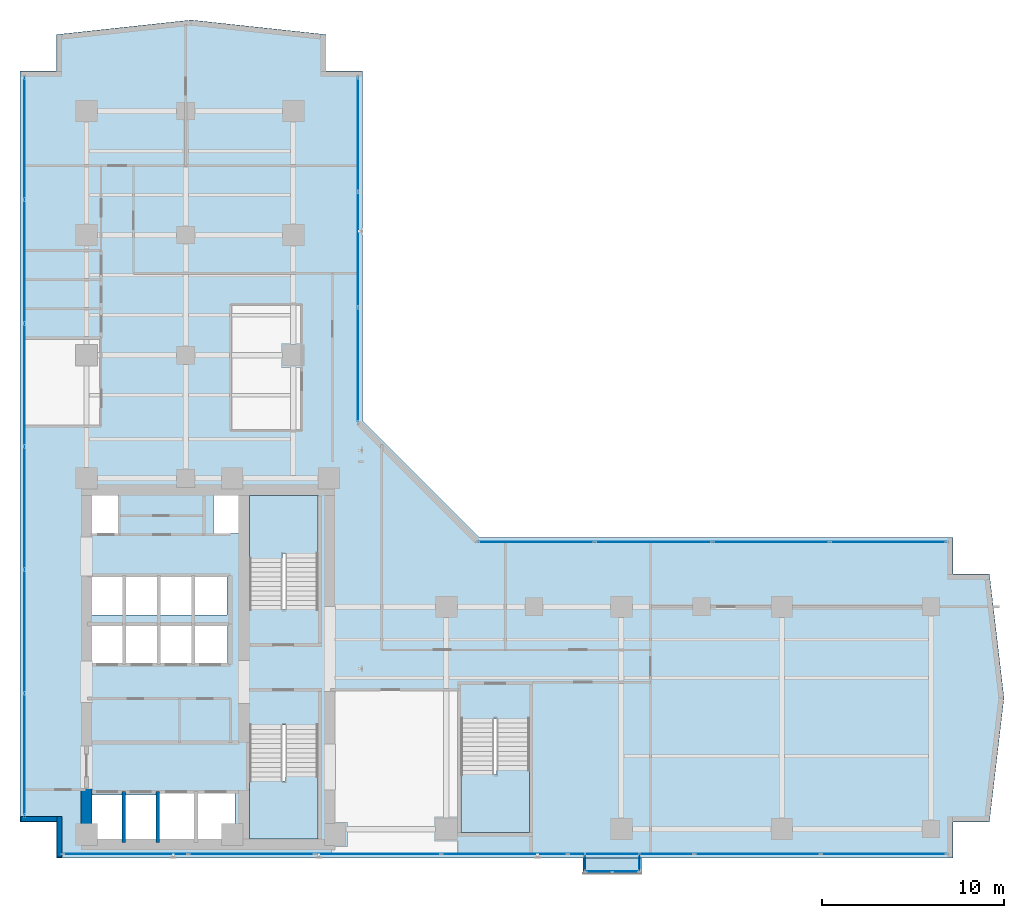
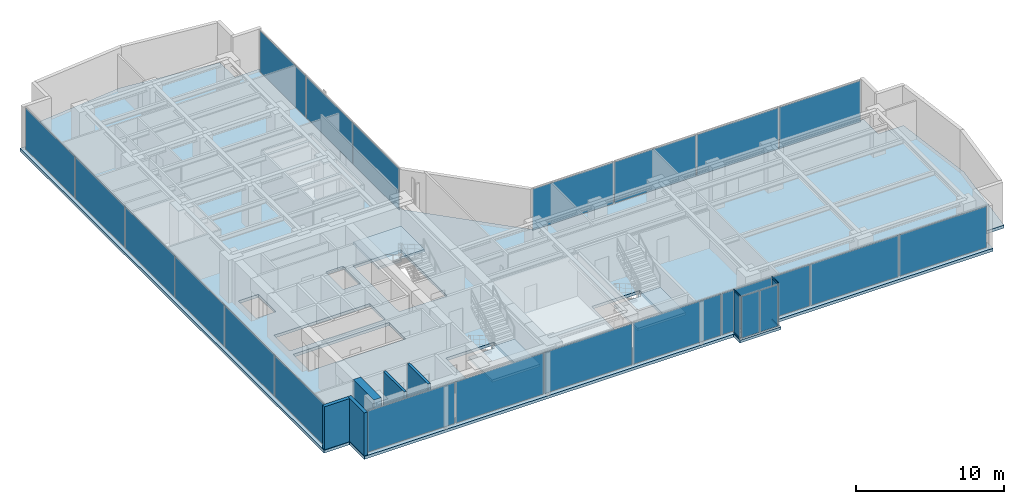
# One storey, part 19 of 27: 24 plates, 5 slabs, 5 walls, 4 members, 10 elements without a shape of their own.
"""IFC4 building model written with IfcOpenShell, lengths in metres."""

from ifc_helpers import new_model, si_unit, direction, frame, frame_2d, origin, origin_with_axes, origin_2d, place, context, subcontext, project, spatial, polyline, rectangle, hollow_rectangle, outline, extrude, source, transform, mapped, material, layer, layer_set, material_profile, profile_set, type_object, element, aggregate, save


model = new_model("IFC4")

# Units and contexts
model_context = context("Model", 3, precision=1e-05, world=origin(), true_north=direction((0.0, 1.0)))
body_context = subcontext(model_context, "Body", "Model", "MODEL_VIEW")
ifc_project = project(units=[si_unit("LENGTHUNIT", "METRE"), si_unit("AREAUNIT", "SQUARE_METRE"), si_unit("VOLUMEUNIT", "CUBIC_METRE"), si_unit("PLANEANGLEUNIT", "RADIAN"), si_unit("MASSUNIT", "GRAM", prefix="KILO")], contexts=[model_context])

# Site, building, storey
site_placement = place(None, origin())
site = spatial("IfcSite", under=ifc_project, at=site_placement, CompositionType="ELEMENT")
building_placement = place(site_placement, origin())
building = spatial("IfcBuilding", under=site, at=building_placement, Name="Kolvaren Waterfront Exchange", CompositionType="ELEMENT")
storey_placement = place(building_placement, frame((0.0, 0.0, 176.60009765625)))
storey = spatial("IfcBuildingStorey", under=building, at=storey_placement, Name="L45", CompositionType="ELEMENT", Elevation=176.60009765625)

# Curtain wall, members
ifc_material_1 = material(Name="Anodised bronze aluminium 6063-T6", Category="aluminium")
ifc_layer_1 = layer(ifc_material_1, 0.219970703125, Name="Anodised bronze aluminium 6063-T6")
ifc_layer_set_1 = layer_set([ifc_layer_1], Name="Anodised bronze aluminium 6063-T6")
curtain_wall_type_1 = type_object("IfcCurtainWallType", Name="ARC-CW-SYS3", PredefinedType="USERDEFINED", material=ifc_layer_set_1)
curtain_wall_1_placement = place(storey_placement, origin())
curtain_wall_1 = element("IfcCurtainWall", 1, at=curtain_wall_1_placement, inside=storey, type_object=curtain_wall_type_1, Name="L45 stick curtain wall CW3 (CW-L45-BOX-W)", ObjectType="STICK CURTAIN WALL", PredefinedType="USERDEFINED")
ifc_material_profile = material_profile(ifc_material_1, hollow_rectangle(XDim=0.06494140625, YDim=0.1298828125, WallThickness=0.00390625, at=origin_2d()), Name="ALU-TRN-130x65x4")
ifc_profile_set = profile_set([ifc_material_profile], Name="Anodised bronze aluminium 6063-T6")
member_type = type_object("IfcMemberType", Name="ARC-CWT-130", PredefinedType="USERDEFINED", material=ifc_profile_set)
shared_shape_1 = source(origin_with_axes(), body_context, "Body", "SweptSolid", [
    extrude(hollow_rectangle(XDim=0.06494140625, YDim=0.1298828125, WallThickness=0.00390625, at=origin_2d()), origin(), (0.0, 0.0, 1.0), 0.829833984375),
])
member_1_placement = place(storey_placement, frame((34.81005859375, 3.764892578125, 0.032470703125), z_axis=(0.0, -1.0, 0.0), x_axis=(1.0, 0.0, 0.0)))
member_1 = element("IfcMember", 2, at=member_1_placement, type_object=member_type, Name="CW3 transom 1.1", ObjectType="TRANSOM", PredefinedType="USERDEFINED", context=body_context, shape_type="MappedRepresentation", body=[
    mapped(shared_shape_1, transform((0.0, 0.0, 0.0), x_axis=(1.0, 0.0, 0.0), y_axis=(0.0, 1.0, 0.0), z_axis=(0.0, 0.0, 1.0), scale=1.0)),
])
member_2_placement = place(storey_placement, frame((34.81005859375, 3.764892578125, 3.52734375), z_axis=(0.0, -1.0, 0.0), x_axis=(1.0, 0.0, 0.0)))
member_2 = element("IfcMember", 3, at=member_2_placement, type_object=member_type, Name="CW3 transom 1.2", ObjectType="TRANSOM", PredefinedType="USERDEFINED", context=body_context, shape_type="MappedRepresentation", body=[
    mapped(shared_shape_1, transform((0.0, 0.0, 0.0), x_axis=(1.0, 0.0, 0.0), y_axis=(0.0, 1.0, 0.0), z_axis=(0.0, 0.0, 1.0), scale=1.0)),
])

curtain_wall_2_placement = place(storey_placement, origin())
curtain_wall_2 = element("IfcCurtainWall", 4, at=curtain_wall_2_placement, inside=storey, type_object=curtain_wall_type_1, Name="L45 stick curtain wall CW3 (CW-L45-BOX-E)", ObjectType="STICK CURTAIN WALL", PredefinedType="USERDEFINED")
member_3_placement = place(storey_placement, frame((37.7900390625, 2.93505859375, 0.032470703125), z_axis=(0.0, 1.0, 0.0), x_axis=(-1.0, 0.0, 0.0)))
member_3 = element("IfcMember", 5, at=member_3_placement, type_object=member_type, Name="CW3 transom 1.1", ObjectType="TRANSOM", PredefinedType="USERDEFINED", context=body_context, shape_type="MappedRepresentation", body=[
    mapped(shared_shape_1, transform((0.0, 0.0, 0.0), x_axis=(1.0, 0.0, 0.0), y_axis=(0.0, 1.0, 0.0), z_axis=(0.0, 0.0, 1.0), scale=1.0)),
])
member_4_placement = place(storey_placement, frame((37.7900390625, 2.93505859375, 3.52734375), z_axis=(0.0, 1.0, 0.0), x_axis=(-1.0, 0.0, 0.0)))
member_4 = element("IfcMember", 6, at=member_4_placement, type_object=member_type, Name="CW3 transom 1.2", ObjectType="TRANSOM", PredefinedType="USERDEFINED", context=body_context, shape_type="MappedRepresentation", body=[
    mapped(shared_shape_1, transform((0.0, 0.0, 0.0), x_axis=(1.0, 0.0, 0.0), y_axis=(0.0, 1.0, 0.0), z_axis=(0.0, 0.0, 1.0), scale=1.0)),
])

# Stair, slab
ifc_material_2 = material(Name="Concrete C40/50", Category="concrete")
stair_type = type_object("IfcStairType", Name="ARC-STAIR-3800", PredefinedType="HALF_TURN_STAIR", material=ifc_material_2)
stair_1_placement = place(storey_placement, origin())
stair_1 = element("IfcStair", 7, at=stair_1_placement, inside=storey, type_object=stair_type, Name="L45 Smoke-proof exit stair ST1", PredefinedType="HALF_TURN_STAIR")
ifc_layer_2 = layer(ifc_material_2, 0.199951171875, Name="Concrete C40/50")
ifc_layer_set_2 = layer_set([ifc_layer_2], Name="Concrete C40/50")
slab_type_1 = type_object("IfcSlabType", Name="STR-LANDING-200", PredefinedType="LANDING", material=ifc_layer_set_2)
slab_1_placement = place(storey_placement, frame((0.0, 0.0, 1.77587890625)))
slab_1 = element("IfcSlab", 8, at=slab_1_placement, type_object=slab_type_1, Name="ST1 landing 1", PredefinedType="LANDING", context=body_context, shape_type="SweptSolid", body=[
    extrude(outline(polyline([(16.39990234375, 7.840087890625), (16.39990234375, 4.64990234375), (20.159912109375, 4.64990234375), (20.159912109375, 8.10009765625), (18.360107421875, 8.10009765625), (18.360107421875, 7.840087890625), (16.39990234375, 7.840087890625)])), origin(), (0.0, 0.0, 1.0), 0.199951171875),
])
aggregate(stair_1, [slab_1])

stair_2_placement = place(storey_placement, origin())
stair_2 = element("IfcStair", 9, at=stair_2_placement, inside=storey, type_object=stair_type, Name="L45 Smoke-proof exit stair ST2", PredefinedType="HALF_TURN_STAIR")
slab_2_placement = place(storey_placement, frame((0.0, 0.0, 1.77587890625)))
slab_2 = element("IfcSlab", 10, at=slab_2_placement, type_object=slab_type_1, Name="ST2 landing 1", PredefinedType="LANDING", context=body_context, shape_type="SweptSolid", body=[
    extrude(outline(polyline([(20.159912109375, 20.31005859375), (20.159912109375, 23.5), (16.39990234375, 23.5), (16.39990234375, 20.050048828125), (18.199951171875, 20.050048828125), (18.199951171875, 20.31005859375), (20.159912109375, 20.31005859375)])), origin(), (0.0, 0.0, 1.0), 0.199951171875),
])
aggregate(stair_2, [slab_2])

stair_3_placement = place(storey_placement, origin())
stair_3 = element("IfcStair", 11, at=stair_3_placement, inside=storey, type_object=stair_type, Name="L45 Exit stair ST3", PredefinedType="HALF_TURN_STAIR")
slab_3_placement = place(storey_placement, frame((0.0, 0.0, 1.77587890625)))
slab_3 = element("IfcSlab", 12, at=slab_3_placement, type_object=slab_type_1, Name="ST3 landing 1", PredefinedType="LANDING", context=body_context, shape_type="SweptSolid", body=[
    extrude(outline(polyline([(28.0, 8.18994140625), (28.0, 5.0), (31.760009765625, 5.0), (31.760009765625, 8.449951171875), (29.9599609375, 8.449951171875), (29.9599609375, 8.18994140625), (28.0, 8.18994140625)])), origin(), (0.0, 0.0, 1.0), 0.199951171875),
])
aggregate(stair_3, [slab_3])

# Slabs
ifc_layer_3 = layer(ifc_material_2, 0.239990234375, Name="Concrete C40/50")
ifc_layer_set_3 = layer_set([ifc_layer_3], Name="Concrete C40/50")
slab_type_2 = type_object("IfcSlabType", Name="STR-SLAB-240", PredefinedType="FLOOR", material=ifc_layer_set_3)
slab_4_placement = place(storey_placement, frame((0.0, 0.0, -0.239990234375)))
element("IfcSlab", 13, at=slab_4_placement, inside=storey, type_object=slab_type_2, Name="L45 structural floor slab", PredefinedType="FLOOR", context=body_context, shape_type="SweptSolid", body=[
    extrude(outline(polyline([(5.800048828125, 3.60009765625), (55.0, 3.60009765625), (55.0, 5.60009765625), (57.0, 5.60009765625), (57.800048828125, 12.39990234375), (57.0, 19.199951171875), (55.0, 19.199951171875), (55.0, 21.199951171875), (29.0, 21.199951171875), (22.60009765625, 27.60009765625), (22.60009765625, 46.800048828125), (20.60009765625, 46.800048828125), (20.60009765625, 48.800048828125), (13.199951171875, 49.60009765625), (5.800048828125, 48.800048828125), (5.800048828125, 46.800048828125), (3.800048828125, 46.800048828125), (3.800048828125, 5.60009765625), (5.800048828125, 5.60009765625), (5.800048828125, 3.60009765625)]), holes=[polyline([(11.320068359375, 7.260009765625), (15.610107421875, 7.260009765625), (15.610107421875, 4.5400390625), (7.719970703125, 4.5400390625), (7.719970703125, 7.06005859375), (11.320068359375, 7.06005859375), (11.320068359375, 7.260009765625)]), polyline([(20.159912109375, 10.89990234375), (20.159912109375, 4.64990234375), (16.39990234375, 4.64990234375), (16.39990234375, 10.89990234375), (20.159912109375, 10.89990234375)]), polyline([(31.760009765625, 11.25), (31.760009765625, 5.0), (28.0, 5.0), (28.0, 11.25), (31.760009765625, 11.25)]), polyline([(15.18505859375, 14.239990234375), (7.64501953125, 14.239990234375), (7.64501953125, 16.4599609375), (15.18505859375, 16.4599609375), (15.18505859375, 14.239990234375)]), polyline([(15.159912109375, 16.93994140625), (7.669921875, 16.93994140625), (7.669921875, 19.06005859375), (15.159912109375, 19.06005859375), (15.159912109375, 16.93994140625)]), polyline([(16.39990234375, 23.5), (20.159912109375, 23.5), (20.159912109375, 17.25), (16.39990234375, 17.25), (16.39990234375, 23.5)]), polyline([(7.60009765625, 23.780029296875), (9.179931640625, 23.780029296875), (9.179931640625, 21.419921875), (7.60009765625, 21.419921875), (7.60009765625, 23.780029296875)]), polyline([(15.800048828125, 23.780029296875), (15.800048828125, 21.419921875), (14.419921875, 21.419921875), (14.419921875, 23.780029296875), (15.800048828125, 23.780029296875)])]), origin(), (0.0, 0.0, 1.0), 0.239990234375),
])
ifc_layer_4 = layer(ifc_material_2, 0.219970703125, Name="Concrete C40/50")
ifc_layer_set_4 = layer_set([ifc_layer_4], Name="Concrete C40/50")
slab_type_3 = type_object("IfcSlabType", Name="STR-TERR-220", PredefinedType="FLOOR", material=ifc_layer_set_4)
slab_5_placement = place(storey_placement, frame((0.0, 0.0, -0.22021484375)))
element("IfcSlab", 14, at=slab_5_placement, inside=storey, type_object=slab_type_3, Name="L45 projecting bay-box floor strip", PredefinedType="FLOOR", context=body_context, shape_type="SweptSolid", body=[
    extrude(outline(polyline([(34.699951171875, 2.75), (37.89990234375, 2.75), (37.89990234375, 3.60009765625), (34.699951171875, 3.60009765625), (34.699951171875, 2.75)])), origin(), (0.0, 0.0, 1.0), 0.22021484375),
])

# Plate
ifc_material_3 = material(Name="Bronze tinted bay-box vision glass", Category="aluminium")
ifc_layer_5 = layer(ifc_material_3, 0.02392578125, Name="Bronze tinted bay-box vision glass")
ifc_layer_set_5 = layer_set([ifc_layer_5], Name="Bronze tinted bay-box vision glass")
plate_type_1 = type_object("IfcPlateType", Name="ARC-CWP-24", PredefinedType="CURTAIN_PANEL", material=ifc_layer_set_5)
shared_shape_2 = source(origin_with_axes(), body_context, "Body", "SweptSolid", [
    extrude(rectangle(XDim=0.830078125, YDim=0.02392578125, at=origin_2d()), origin(), (0.0, 0.0, 1.0), 3.429931640625),
])
plate_1_placement = place(storey_placement, frame((34.81005859375, 3.35009765625, 0.06494140625), z_axis=(0.0, 0.0, 1.0), x_axis=(0.0, -1.0, 0.0)))
plate_1 = element("IfcPlate", 15, at=plate_1_placement, type_object=plate_type_1, Name="CW3 panel 1.1", PredefinedType="CURTAIN_PANEL", context=body_context, shape_type="MappedRepresentation", body=[
    mapped(shared_shape_2, transform((0.0, 0.0, 0.0), x_axis=(1.0, 0.0, 0.0), y_axis=(0.0, 1.0, 0.0), z_axis=(0.0, 0.0, 1.0), scale=1.0)),
])

aggregate(curtain_wall_1, [member_1, member_2, plate_1])

plate_2_placement = place(storey_placement, frame((37.7900390625, 3.35009765625, 0.06494140625), z_axis=(0.0, 0.0, 1.0), x_axis=(0.0, 1.0, 0.0)))
plate_2 = element("IfcPlate", 16, at=plate_2_placement, type_object=plate_type_1, Name="CW3 panel 1.1", PredefinedType="CURTAIN_PANEL", context=body_context, shape_type="MappedRepresentation", body=[
    mapped(shared_shape_2, transform((0.0, 0.0, 0.0), x_axis=(1.0, 0.0, 0.0), y_axis=(0.0, 1.0, 0.0), z_axis=(0.0, 0.0, 1.0), scale=1.0)),
])

aggregate(curtain_wall_2, [member_3, member_4, plate_2])

# Curtain wall, plates
curtain_wall_3_placement = place(storey_placement, origin())
curtain_wall_3 = element("IfcCurtainWall", 17, at=curtain_wall_3_placement, inside=storey, type_object=curtain_wall_type_1, Name="L45 stick curtain wall CW3 (CW-L45-BOX)", ObjectType="STICK CURTAIN WALL", PredefinedType="USERDEFINED")
shared_shape_3 = source(origin_with_axes(), body_context, "Body", "SweptSolid", [
    extrude(rectangle(XDim=1.37744140625, YDim=0.02392578125, at=origin_2d()), origin(), (0.0, 0.0, 1.0), 3.429931640625),
])
plate_3_placement = place(storey_placement, frame((35.57373046875, 2.860107421875, 0.06494140625), z_axis=(0.0, 0.0, 1.0), x_axis=(1.0, 0.0, 0.0)))
plate_3 = element("IfcPlate", 18, at=plate_3_placement, type_object=plate_type_1, Name="CW3 panel 1.1", PredefinedType="CURTAIN_PANEL", context=body_context, shape_type="MappedRepresentation", body=[
    mapped(shared_shape_3, transform((0.0, 0.0, 0.0), x_axis=(1.0, 0.0, 0.0), y_axis=(0.0, 1.0, 0.0), z_axis=(0.0, 0.0, 1.0), scale=1.0)),
])
plate_4_placement = place(storey_placement, frame((37.0263671875, 2.860107421875, 0.06494140625), z_axis=(0.0, 0.0, 1.0), x_axis=(1.0, 0.0, 0.0)))
plate_4 = element("IfcPlate", 19, at=plate_4_placement, type_object=plate_type_1, Name="CW3 panel 2.1", PredefinedType="CURTAIN_PANEL", context=body_context, shape_type="MappedRepresentation", body=[
    mapped(shared_shape_3, transform((0.0, 0.0, 0.0), x_axis=(1.0, 0.0, 0.0), y_axis=(0.0, 1.0, 0.0), z_axis=(0.0, 0.0, 1.0), scale=1.0)),
])
aggregate(curtain_wall_3, [plate_3, plate_4])

ifc_layer_6 = layer(ifc_material_1, 0.219970703125, Name="Anodised bronze aluminium 6063-T6")
ifc_layer_set_6 = layer_set([ifc_layer_6], Name="Anodised bronze aluminium 6063-T6")
curtain_wall_type_2 = type_object("IfcCurtainWallType", Name="ARC-CW-SYS1", PredefinedType="USERDEFINED", material=ifc_layer_set_6)
curtain_wall_4_placement = place(storey_placement, origin())
curtain_wall_4 = element("IfcCurtainWall", 20, at=curtain_wall_4_placement, inside=storey, type_object=curtain_wall_type_2, Name="L45 stick curtain wall CW1 (CW-L45-S)", ObjectType="STICK CURTAIN WALL", PredefinedType="USERDEFINED")
ifc_material_4 = material(Name="Bronze solar control vision glass", Category="aluminium")
ifc_layer_7 = layer(ifc_material_4, 0.028076171875, Name="Bronze solar control vision glass")
ifc_layer_set_7 = layer_set([ifc_layer_7], Name="Bronze solar control vision glass")
plate_type_2 = type_object("IfcPlateType", Name="ARC-CWP-28", PredefinedType="CURTAIN_PANEL", material=ifc_layer_set_7)
shared_shape_4 = source(origin_with_axes(), body_context, "Body", "SweptSolid", [
    extrude(rectangle(XDim=6.82275390625, YDim=0.028076171875, at=origin_2d()), origin(), (0.0, 0.0, 1.0), 3.409912109375),
])
plate_5_placement = place(storey_placement, frame((9.59130859375, 3.840087890625, 0.07470703125), z_axis=(0.0, 0.0, 1.0), x_axis=(1.0, 0.0, 0.0)))
plate_5 = element("IfcPlate", 21, at=plate_5_placement, type_object=plate_type_2, Name="CW1 panel 1.1", PredefinedType="CURTAIN_PANEL", context=body_context, shape_type="MappedRepresentation", body=[
    mapped(shared_shape_4, transform((0.0, 0.0, 0.0), x_axis=(1.0, 0.0, 0.0), y_axis=(0.0, 1.0, 0.0), z_axis=(0.0, 0.0, 1.0), scale=1.0)),
])
plate_6_placement = place(storey_placement, frame((51.20849609375, 3.840087890625, 0.07470703125), z_axis=(0.0, 0.0, 1.0), x_axis=(1.0, 0.0, 0.0)))
plate_6 = element("IfcPlate", 22, at=plate_6_placement, type_object=plate_type_2, Name="CW1 panel 7.1", PredefinedType="CURTAIN_PANEL", context=body_context, shape_type="MappedRepresentation", body=[
    mapped(shared_shape_4, transform((0.0, 0.0, 0.0), x_axis=(1.0, 0.0, 0.0), y_axis=(0.0, 1.0, 0.0), z_axis=(0.0, 0.0, 1.0), scale=1.0)),
])
shared_shape_5 = source(origin_with_axes(), body_context, "Body", "SweptSolid", [
    extrude(rectangle(XDim=6.86279296875, YDim=0.028076171875, at=origin_2d()), origin(), (0.0, 0.0, 1.0), 3.409912109375),
])
plate_7_placement = place(storey_placement, frame((16.514404296875, 3.840087890625, 0.07470703125), z_axis=(0.0, 0.0, 1.0), x_axis=(1.0, 0.0, 0.0)))
plate_7 = element("IfcPlate", 23, at=plate_7_placement, type_object=plate_type_2, Name="CW1 panel 2.1", PredefinedType="CURTAIN_PANEL", context=body_context, shape_type="MappedRepresentation", body=[
    mapped(shared_shape_5, transform((0.0, 0.0, 0.0), x_axis=(1.0, 0.0, 0.0), y_axis=(0.0, 1.0, 0.0), z_axis=(0.0, 0.0, 1.0), scale=1.0)),
])
plate_8_placement = place(storey_placement, frame((23.45703125, 3.840087890625, 0.07470703125), z_axis=(0.0, 0.0, 1.0), x_axis=(1.0, 0.0, 0.0)))
plate_8 = element("IfcPlate", 24, at=plate_8_placement, type_object=plate_type_2, Name="CW1 panel 3.1", PredefinedType="CURTAIN_PANEL", context=body_context, shape_type="MappedRepresentation", body=[
    mapped(shared_shape_5, transform((0.0, 0.0, 0.0), x_axis=(1.0, 0.0, 0.0), y_axis=(0.0, 1.0, 0.0), z_axis=(0.0, 0.0, 1.0), scale=1.0)),
])
plate_9_placement = place(storey_placement, frame((30.39990234375, 3.840087890625, 0.07470703125), z_axis=(0.0, 0.0, 1.0), x_axis=(1.0, 0.0, 0.0)))
plate_9 = element("IfcPlate", 25, at=plate_9_placement, type_object=plate_type_2, Name="CW1 panel 4.1", PredefinedType="CURTAIN_PANEL", context=body_context, shape_type="MappedRepresentation", body=[
    mapped(shared_shape_5, transform((0.0, 0.0, 0.0), x_axis=(1.0, 0.0, 0.0), y_axis=(0.0, 1.0, 0.0), z_axis=(0.0, 0.0, 1.0), scale=1.0)),
])
plate_10_placement = place(storey_placement, frame((37.3427734375, 3.840087890625, 0.07470703125), z_axis=(0.0, 0.0, 1.0), x_axis=(1.0, 0.0, 0.0)))
plate_10 = element("IfcPlate", 26, at=plate_10_placement, type_object=plate_type_2, Name="CW1 panel 5.1", PredefinedType="CURTAIN_PANEL", context=body_context, shape_type="MappedRepresentation", body=[
    mapped(shared_shape_5, transform((0.0, 0.0, 0.0), x_axis=(1.0, 0.0, 0.0), y_axis=(0.0, 1.0, 0.0), z_axis=(0.0, 0.0, 1.0), scale=1.0)),
])
plate_11_placement = place(storey_placement, frame((44.28564453125, 3.840087890625, 0.07470703125), z_axis=(0.0, 0.0, 1.0), x_axis=(1.0, 0.0, 0.0)))
plate_11 = element("IfcPlate", 27, at=plate_11_placement, type_object=plate_type_2, Name="CW1 panel 6.1", PredefinedType="CURTAIN_PANEL", context=body_context, shape_type="MappedRepresentation", body=[
    mapped(shared_shape_5, transform((0.0, 0.0, 0.0), x_axis=(1.0, 0.0, 0.0), y_axis=(0.0, 1.0, 0.0), z_axis=(0.0, 0.0, 1.0), scale=1.0)),
])
aggregate(curtain_wall_4, [plate_5, plate_7, plate_8, plate_9, plate_10, plate_11, plate_6])

curtain_wall_5_placement = place(storey_placement, origin())
curtain_wall_5 = element("IfcCurtainWall", 28, at=curtain_wall_5_placement, inside=storey, type_object=curtain_wall_type_2, Name="L45 stick curtain wall CW1 (CW-L45-NE)", ObjectType="STICK CURTAIN WALL", PredefinedType="USERDEFINED")
shared_shape_6 = source(origin_with_axes(), body_context, "Body", "SweptSolid", [
    extrude(rectangle(XDim=6.216552734375, YDim=0.028076171875, at=origin_2d()), origin(), (0.0, 0.0, 1.0), 3.409912109375),
])
plate_12_placement = place(storey_placement, frame((22.360107421875, 30.67822265625, 0.07470703125), z_axis=(0.0, 0.0, 1.0), x_axis=(0.0, 1.0, 0.0)))
plate_12 = element("IfcPlate", 29, at=plate_12_placement, type_object=plate_type_2, Name="CW1 panel 1.1", PredefinedType="CURTAIN_PANEL", context=body_context, shape_type="MappedRepresentation", body=[
    mapped(shared_shape_6, transform((0.0, 0.0, 0.0), x_axis=(1.0, 0.0, 0.0), y_axis=(0.0, 1.0, 0.0), z_axis=(0.0, 0.0, 1.0), scale=1.0)),
])
plate_13_placement = place(storey_placement, frame((22.360107421875, 43.311767578125, 0.07470703125), z_axis=(0.0, 0.0, 1.0), x_axis=(0.0, 1.0, 0.0)))
plate_13 = element("IfcPlate", 30, at=plate_13_placement, type_object=plate_type_2, Name="CW1 panel 3.1", PredefinedType="CURTAIN_PANEL", context=body_context, shape_type="MappedRepresentation", body=[
    mapped(shared_shape_6, transform((0.0, 0.0, 0.0), x_axis=(1.0, 0.0, 0.0), y_axis=(0.0, 1.0, 0.0), z_axis=(0.0, 0.0, 1.0), scale=1.0)),
])
shared_shape_7 = source(origin_with_axes(), body_context, "Body", "SweptSolid", [
    extrude(rectangle(XDim=6.256591796875, YDim=0.028076171875, at=origin_2d()), origin(), (0.0, 0.0, 1.0), 3.409912109375),
])
plate_14_placement = place(storey_placement, frame((22.360107421875, 36.9951171875, 0.07470703125), z_axis=(0.0, 0.0, 1.0), x_axis=(0.0, 1.0, 0.0)))
plate_14 = element("IfcPlate", 31, at=plate_14_placement, type_object=plate_type_2, Name="CW1 panel 2.1", PredefinedType="CURTAIN_PANEL", context=body_context, shape_type="MappedRepresentation", body=[
    mapped(shared_shape_7, transform((0.0, 0.0, 0.0), x_axis=(1.0, 0.0, 0.0), y_axis=(0.0, 1.0, 0.0), z_axis=(0.0, 0.0, 1.0), scale=1.0)),
])
aggregate(curtain_wall_5, [plate_12, plate_14, plate_13])

curtain_wall_6_placement = place(storey_placement, origin())
curtain_wall_6 = element("IfcCurtainWall", 32, at=curtain_wall_6_placement, inside=storey, type_object=curtain_wall_type_2, Name="L45 stick curtain wall CW1 (CW-L45-EN)", ObjectType="STICK CURTAIN WALL", PredefinedType="USERDEFINED")
shared_shape_8 = source(origin_with_axes(), body_context, "Body", "SweptSolid", [
    extrude(rectangle(XDim=6.33251953125, YDim=0.028076171875, at=origin_2d()), origin(), (0.0, 0.0, 1.0), 3.409912109375),
])
plate_15_placement = place(storey_placement, frame((32.13623046875, 20.9599609375, 0.07470703125), z_axis=(0.0, 0.0, 1.0), x_axis=(1.0, 0.0, 0.0)))
plate_15 = element("IfcPlate", 33, at=plate_15_placement, type_object=plate_type_2, Name="CW1 panel 1.1", PredefinedType="CURTAIN_PANEL", context=body_context, shape_type="MappedRepresentation", body=[
    mapped(shared_shape_8, transform((0.0, 0.0, 0.0), x_axis=(1.0, 0.0, 0.0), y_axis=(0.0, 1.0, 0.0), z_axis=(0.0, 0.0, 1.0), scale=1.0)),
])
plate_16_placement = place(storey_placement, frame((51.453857421875, 20.9599609375, 0.07470703125), z_axis=(0.0, 0.0, 1.0), x_axis=(1.0, 0.0, 0.0)))
plate_16 = element("IfcPlate", 34, at=plate_16_placement, type_object=plate_type_2, Name="CW1 panel 4.1", PredefinedType="CURTAIN_PANEL", context=body_context, shape_type="MappedRepresentation", body=[
    mapped(shared_shape_8, transform((0.0, 0.0, 0.0), x_axis=(1.0, 0.0, 0.0), y_axis=(0.0, 1.0, 0.0), z_axis=(0.0, 0.0, 1.0), scale=1.0)),
])
shared_shape_9 = source(origin_with_axes(), body_context, "Body", "SweptSolid", [
    extrude(rectangle(XDim=6.37255859375, YDim=0.028076171875, at=origin_2d()), origin(), (0.0, 0.0, 1.0), 3.409912109375),
])
plate_17_placement = place(storey_placement, frame((38.56884765625, 20.9599609375, 0.07470703125), z_axis=(0.0, 0.0, 1.0), x_axis=(1.0, 0.0, 0.0)))
plate_17 = element("IfcPlate", 35, at=plate_17_placement, type_object=plate_type_2, Name="CW1 panel 2.1", PredefinedType="CURTAIN_PANEL", context=body_context, shape_type="MappedRepresentation", body=[
    mapped(shared_shape_9, transform((0.0, 0.0, 0.0), x_axis=(1.0, 0.0, 0.0), y_axis=(0.0, 1.0, 0.0), z_axis=(0.0, 0.0, 1.0), scale=1.0)),
])
plate_18_placement = place(storey_placement, frame((45.021240234375, 20.9599609375, 0.07470703125), z_axis=(0.0, 0.0, 1.0), x_axis=(1.0, 0.0, 0.0)))
plate_18 = element("IfcPlate", 36, at=plate_18_placement, type_object=plate_type_2, Name="CW1 panel 3.1", PredefinedType="CURTAIN_PANEL", context=body_context, shape_type="MappedRepresentation", body=[
    mapped(shared_shape_9, transform((0.0, 0.0, 0.0), x_axis=(1.0, 0.0, 0.0), y_axis=(0.0, 1.0, 0.0), z_axis=(0.0, 0.0, 1.0), scale=1.0)),
])
aggregate(curtain_wall_6, [plate_15, plate_17, plate_18, plate_16])

ifc_material_5 = material(Name="Anodised aluminium 6063-T6", Category="aluminium")
ifc_layer_8 = layer(ifc_material_5, 0.219970703125, Name="Anodised aluminium 6063-T6")
ifc_layer_set_8 = layer_set([ifc_layer_8], Name="Anodised aluminium 6063-T6")
curtain_wall_type_3 = type_object("IfcCurtainWallType", Name="ARC-CW-SYS2", PredefinedType="USERDEFINED", material=ifc_layer_set_8)
curtain_wall_7_placement = place(storey_placement, origin())
curtain_wall_7 = element("IfcCurtainWall", 37, at=curtain_wall_7_placement, inside=storey, type_object=curtain_wall_type_3, Name="L45 stick curtain wall CW2 (CW-L45-W)", ObjectType="STICK CURTAIN WALL", PredefinedType="USERDEFINED")
ifc_material_6 = material(Name="Acoustic laminated vision glass", Category="glass")
ifc_layer_9 = layer(ifc_material_6, 0.031982421875, Name="Acoustic laminated vision glass")
ifc_layer_set_9 = layer_set([ifc_layer_9], Name="Acoustic laminated vision glass")
plate_type_3 = type_object("IfcPlateType", Name="ARC-CWP-32", PredefinedType="CURTAIN_PANEL", material=ifc_layer_set_9)
shared_shape_10 = source(origin_with_axes(), body_context, "Body", "SweptSolid", [
    extrude(rectangle(XDim=6.646728515625, YDim=0.031982421875, at=origin_2d()), origin(), (0.0, 0.0, 1.0), 3.409912109375),
])
plate_19_placement = place(storey_placement, frame((4.0400390625, 9.30322265625, 0.07470703125), z_axis=(0.0, 0.0, 1.0), x_axis=(0.0, 1.0, 0.0)))
plate_19 = element("IfcPlate", 38, at=plate_19_placement, type_object=plate_type_3, Name="CW2 panel 1.1", PredefinedType="CURTAIN_PANEL", context=body_context, shape_type="MappedRepresentation", body=[
    mapped(shared_shape_10, transform((0.0, 0.0, 0.0), x_axis=(1.0, 0.0, 0.0), y_axis=(0.0, 1.0, 0.0), z_axis=(0.0, 0.0, 1.0), scale=1.0)),
])
plate_20_placement = place(storey_placement, frame((4.0400390625, 43.0966796875, 0.07470703125), z_axis=(0.0, 0.0, 1.0), x_axis=(0.0, 1.0, 0.0)))
plate_20 = element("IfcPlate", 39, at=plate_20_placement, type_object=plate_type_3, Name="CW2 panel 6.1", PredefinedType="CURTAIN_PANEL", context=body_context, shape_type="MappedRepresentation", body=[
    mapped(shared_shape_10, transform((0.0, 0.0, 0.0), x_axis=(1.0, 0.0, 0.0), y_axis=(0.0, 1.0, 0.0), z_axis=(0.0, 0.0, 1.0), scale=1.0)),
])
shared_shape_11 = source(origin_with_axes(), body_context, "Body", "SweptSolid", [
    extrude(rectangle(XDim=6.686767578125, YDim=0.031982421875, at=origin_2d()), origin(), (0.0, 0.0, 1.0), 3.409912109375),
])
plate_21_placement = place(storey_placement, frame((4.0400390625, 16.050048828125, 0.07470703125), z_axis=(0.0, 0.0, 1.0), x_axis=(0.0, 1.0, 0.0)))
plate_21 = element("IfcPlate", 40, at=plate_21_placement, type_object=plate_type_3, Name="CW2 panel 2.1", PredefinedType="CURTAIN_PANEL", context=body_context, shape_type="MappedRepresentation", body=[
    mapped(shared_shape_11, transform((0.0, 0.0, 0.0), x_axis=(1.0, 0.0, 0.0), y_axis=(0.0, 1.0, 0.0), z_axis=(0.0, 0.0, 1.0), scale=1.0)),
])
plate_22_placement = place(storey_placement, frame((4.0400390625, 22.816650390625, 0.07470703125), z_axis=(0.0, 0.0, 1.0), x_axis=(0.0, 1.0, 0.0)))
plate_22 = element("IfcPlate", 41, at=plate_22_placement, type_object=plate_type_3, Name="CW2 panel 3.1", PredefinedType="CURTAIN_PANEL", context=body_context, shape_type="MappedRepresentation", body=[
    mapped(shared_shape_11, transform((0.0, 0.0, 0.0), x_axis=(1.0, 0.0, 0.0), y_axis=(0.0, 1.0, 0.0), z_axis=(0.0, 0.0, 1.0), scale=1.0)),
])
plate_23_placement = place(storey_placement, frame((4.0400390625, 29.583251953125, 0.07470703125), z_axis=(0.0, 0.0, 1.0), x_axis=(0.0, 1.0, 0.0)))
plate_23 = element("IfcPlate", 42, at=plate_23_placement, type_object=plate_type_3, Name="CW2 panel 4.1", PredefinedType="CURTAIN_PANEL", context=body_context, shape_type="MappedRepresentation", body=[
    mapped(shared_shape_11, transform((0.0, 0.0, 0.0), x_axis=(1.0, 0.0, 0.0), y_axis=(0.0, 1.0, 0.0), z_axis=(0.0, 0.0, 1.0), scale=1.0)),
])
plate_24_placement = place(storey_placement, frame((4.0400390625, 36.35009765625, 0.07470703125), z_axis=(0.0, 0.0, 1.0), x_axis=(0.0, 1.0, 0.0)))
plate_24 = element("IfcPlate", 43, at=plate_24_placement, type_object=plate_type_3, Name="CW2 panel 5.1", PredefinedType="CURTAIN_PANEL", context=body_context, shape_type="MappedRepresentation", body=[
    mapped(shared_shape_11, transform((0.0, 0.0, 0.0), x_axis=(1.0, 0.0, 0.0), y_axis=(0.0, 1.0, 0.0), z_axis=(0.0, 0.0, 1.0), scale=1.0)),
])
aggregate(curtain_wall_7, [plate_19, plate_21, plate_22, plate_23, plate_24, plate_20])

# Walls
ifc_material_7 = material(Name="Precast concrete C40/50", Category="concrete")
ifc_layer_10 = layer(ifc_material_7, 0.280029296875, Name="Precast concrete C40/50")
ifc_layer_set_10 = layer_set([ifc_layer_10], Name="Precast concrete C40/50")
wall_type_1 = type_object("IfcWallType", Name="ARC-EXT-TERR-280", PredefinedType="SOLIDWALL", material=ifc_layer_set_10)
wall_1_placement = place(storey_placement, frame((5.9599609375, 3.659912109375, 0.0), z_axis=(0.0, 0.0, 1.0), x_axis=(0.0, 1.0, 0.0)))
element("IfcWall", 44, at=wall_1_placement, inside=storey, type_object=wall_type_1, Name="L45 notched corner spandrel pier SW-A", PredefinedType="SOLIDWALL", context=body_context, shape_type="SweptSolid", body=[
    extrude(rectangle(XDim=2.239990234375, YDim=0.280029296875, at=frame_2d((1.1201171875, 0.0))), origin(), (0.0, 0.0, 1.0), 3.559814453125),
])
wall_2_placement = place(storey_placement, frame((3.860107421875, 5.760009765625, 0.0), z_axis=(0.0, 0.0, 1.0), x_axis=(1.0, 0.0, 0.0)))
element("IfcWall", 45, at=wall_2_placement, inside=storey, type_object=wall_type_1, Name="L45 notched corner spandrel pier SW-B", PredefinedType="SOLIDWALL", context=body_context, shape_type="SweptSolid", body=[
    extrude(rectangle(XDim=1.9599609375, YDim=0.280029296875, at=frame_2d((0.97998046875, 0.0))), origin(), (0.0, 0.0, 1.0), 3.559814453125),
])
ifc_layer_11 = layer(ifc_material_2, 0.199951171875, Name="Concrete C40/50")
ifc_layer_set_11 = layer_set([ifc_layer_11], Name="Concrete C40/50")
wall_type_2 = type_object("IfcWallType", Name="ARC-SHAFT-200", PredefinedType="PARTITIONING", material=ifc_layer_set_11)
for number, where, z_axis, x_axis, name in (
    (46, (9.5, 4.449951171875, 0.0), (0.0, 0.0, 1.0), (0.0, 1.0, 0.0), "L45 interior wall PW-L45-SH1-DIV-95"),
    (47, (11.360107421875, 4.449951171875, 0.0), (0.0, 0.0, 1.0), (0.0, 1.0, 0.0), "L45 interior wall PW-L45-SH1-DIV-113"),
):
    element("IfcWall", number, at=place(storey_placement, frame(where, z_axis=z_axis, x_axis=x_axis)), inside=storey, type_object=wall_type_2, Name=name, PredefinedType="PARTITIONING", context=body_context, shape_type="SweptSolid", body=[
        extrude(rectangle(XDim=2.800048828125, YDim=0.199951171875, at=frame_2d((1.39990234375, 0.0))), origin(), (0.0, 0.0, 1.0), 3.559814453125),
    ])
ifc_material_8 = material(Name="Concrete C60/75", Category="concrete")
ifc_layer_12 = layer(ifc_material_8, 0.60009765625, Name="Concrete C60/75")
ifc_layer_set_12 = layer_set([ifc_layer_12], Name="Concrete C60/75")
wall_type_3 = type_object("IfcWallType", Name="STR-CWALL-600", PredefinedType="SHEAR", material=ifc_layer_set_12)
wall_3_placement = place(storey_placement, frame((7.449951171875, 4.64990234375, 0.0), z_axis=(0.0, 0.0, 1.0), x_axis=(0.0, 1.0, 0.0)))
element("IfcWall", 48, at=wall_3_placement, inside=storey, type_object=wall_type_3, Name="L45 rear-core shear wall W1", PredefinedType="SHEAR", context=body_context, shape_type="SweptSolid", body=[
    extrude(rectangle(XDim=2.800048828125, YDim=0.60009765625, at=frame_2d((1.39990234375, 0.0))), origin(), (0.0, 0.0, 1.0), 3.559814453125),
])

save(model, "model.ifc")
